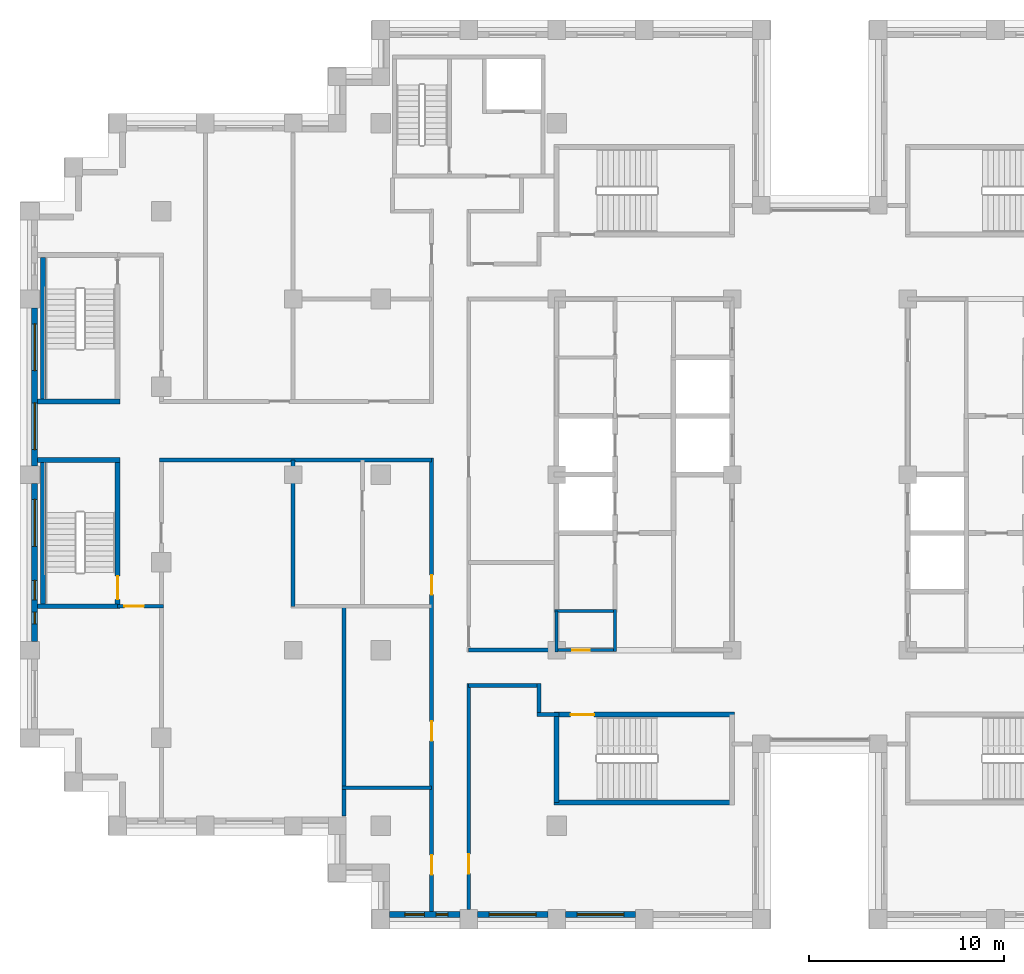
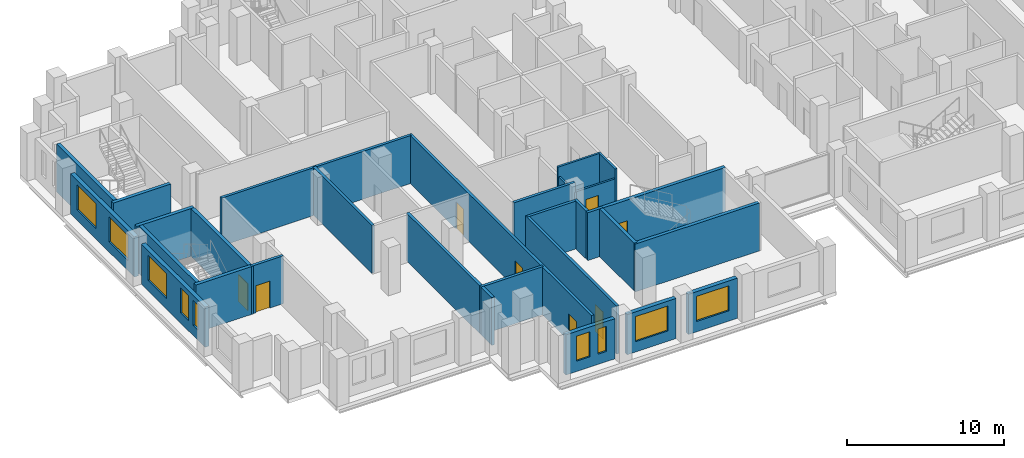
# One storey, part 6 of 15: 29 walls, 9 windows, 8 doors, 17 openings.
"""IFC4 building model written with IfcOpenShell, lengths in metres."""

from ifc_helpers import new_model, si_unit, direction, frame, frame_2d, origin, place, context, subcontext, project, spatial, rectangle, extrude, material, layer, layer_set, type_object, element, fill, save


model = new_model("IFC4")

# Units and contexts
model_context = context("Model", 3, precision=1e-05, world=origin(), true_north=direction((0.0, 1.0)))
body_context = subcontext(model_context, "Body", "Model", "MODEL_VIEW")
ifc_project = project(units=[si_unit("LENGTHUNIT", "METRE"), si_unit("AREAUNIT", "SQUARE_METRE"), si_unit("VOLUMEUNIT", "CUBIC_METRE"), si_unit("PLANEANGLEUNIT", "RADIAN"), si_unit("MASSUNIT", "GRAM", prefix="KILO")], contexts=[model_context])

# Site, building, storey
site_placement = place(None, origin())
site = spatial("IfcSite", under=ifc_project, at=site_placement, CompositionType="ELEMENT")
building_placement = place(site_placement, origin())
building = spatial("IfcBuilding", under=site, at=building_placement, Name="Corbelhall Arena Tower", CompositionType="ELEMENT")
storey_placement = place(building_placement, frame((0.0, 0.0, 188.0)))
storey = spatial("IfcBuildingStorey", under=building, at=storey_placement, Name="L38", CompositionType="ELEMENT", Elevation=188.0)

# Wall, openings, windows
ifc_material_1 = material(Name="Precast concrete C40/50 with granite facing", Category="masonry")
ifc_layer_1 = layer(ifc_material_1, 0.300048828125)
ifc_layer_set_1 = layer_set([ifc_layer_1], Name="EV-IW1 Infill panel 300")
wall_type_1 = type_object("IfcWallType", Name="EV-IW1 Infill panel 300", PredefinedType="SOLIDWALL", material=ifc_layer_set_1)
wall_1_placement = place(storey_placement, frame((-40.25, 8.550048828125, 0.0), z_axis=(0.0, 0.0, 1.0), x_axis=(0.0, -1.0, 0.0)))
wall_1 = element("IfcWall", 1, at=wall_1_placement, inside=storey, type_object=wall_type_1, Name="Infill panel IW1", PredefinedType="SOLIDWALL", context=body_context, shape_type="SweptSolid", body=[
    extrude(rectangle(XDim=8.10009765625, YDim=0.300048828125, at=frame_2d((4.050048828125, 0.0))), origin(), (0.0, 0.0, 1.0), 3.1201171875),
])
opening_1_placement = place(wall_1_placement, frame((0.824951171875, 0.0, 0.800048828125)))
opening_1 = element("IfcOpeningElement", 2, at=opening_1_placement, cuts=wall_1, Name="Opening WN1", PredefinedType="OPENING", context=body_context, shape_type="SweptSolid", body=[
    extrude(rectangle(XDim=2.39990234375, YDim=1.949951171875, at=frame_2d((1.199951171875, 0.97509765625))), frame((0.0, 0.14990234375, 0.0), z_axis=(0.0, -1.0, 0.0), x_axis=(1.0, 0.0, 0.0)), (0.0, 0.0, 1.0), 0.300048828125),
])
opening_2_placement = place(wall_1_placement, frame((4.875, 0.0, 0.800048828125)))
opening_2 = element("IfcOpeningElement", 3, at=opening_2_placement, cuts=wall_1, Name="Opening WN1", PredefinedType="OPENING", context=body_context, shape_type="SweptSolid", body=[
    extrude(rectangle(XDim=2.39990234375, YDim=1.949951171875, at=frame_2d((1.199951171875, 0.97509765625))), frame((0.0, 0.14990234375, 0.0), z_axis=(0.0, -1.0, 0.0), x_axis=(1.0, 0.0, 0.0)), (0.0, 0.0, 1.0), 0.300048828125),
])
ifc_material_2 = material(Name="Aluminium black anodised", Category="aluminium")
window_type_1 = type_object("IfcWindowType", Name="EV-WN1 Office window", PartitioningType="SINGLE_PANEL", PredefinedType="WINDOW", material=ifc_material_2)
window_1_placement = place(opening_1_placement, origin())
window_1 = element("IfcWindow", 4, at=window_1_placement, inside=storey, type_object=window_type_1, Name="Window WN1", OverallHeight=1.949951171875, OverallWidth=2.39990234375, PartitioningType="SINGLE_PANEL", PredefinedType="WINDOW", context=body_context, shape_type="SweptSolid", body=[
    extrude(rectangle(XDim=2.39990234375, YDim=1.949951171875, at=frame_2d((1.199951171875, 0.97509765625))), frame((0.0, 0.030029296875, 0.0), z_axis=(0.0, -1.0, 0.0), x_axis=(1.0, 0.0, 0.0)), (0.0, 0.0, 1.0), 0.06005859375),
])
fill(opening_1, window_1)
window_2_placement = place(opening_2_placement, origin())
window_2 = element("IfcWindow", 5, at=window_2_placement, inside=storey, type_object=window_type_1, Name="Window WN1", OverallHeight=1.949951171875, OverallWidth=2.39990234375, PartitioningType="SINGLE_PANEL", PredefinedType="WINDOW", context=body_context, shape_type="SweptSolid", body=[
    extrude(rectangle(XDim=2.39990234375, YDim=1.949951171875, at=frame_2d((1.199951171875, 0.97509765625))), frame((0.0, 0.030029296875, 0.0), z_axis=(0.0, -1.0, 0.0), x_axis=(1.0, 0.0, 0.0)), (0.0, 0.0, 1.0), 0.06005859375),
])
fill(opening_2, window_2)

wall_2_placement = place(storey_placement, frame((-40.25, -0.449951171875, 0.0), z_axis=(0.0, 0.0, 1.0), x_axis=(0.0, -1.0, 0.0)))
wall_2 = element("IfcWall", 6, at=wall_2_placement, inside=storey, type_object=wall_type_1, Name="Infill panel IW1", PredefinedType="SOLIDWALL", context=body_context, shape_type="SweptSolid", body=[
    extrude(rectangle(XDim=8.10009765625, YDim=0.300048828125, at=frame_2d((4.050048828125, 0.0))), origin(), (0.0, 0.0, 1.0), 3.1201171875),
])
opening_3_placement = place(wall_2_placement, frame((0.824951171875, 0.0, 0.800048828125)))
opening_3 = element("IfcOpeningElement", 7, at=opening_3_placement, cuts=wall_2, Name="Opening WN1", PredefinedType="OPENING", context=body_context, shape_type="SweptSolid", body=[
    extrude(rectangle(XDim=2.39990234375, YDim=1.949951171875, at=frame_2d((1.199951171875, 0.97509765625))), frame((0.0, 0.14990234375, 0.0), z_axis=(0.0, -1.0, 0.0), x_axis=(1.0, 0.0, 0.0)), (0.0, 0.0, 1.0), 0.300048828125),
])
opening_4_placement = place(wall_2_placement, frame((4.97509765625, 0.0, 0.800048828125)))
opening_4 = element("IfcOpeningElement", 8, at=opening_4_placement, cuts=wall_2, Name="Opening WN6", PredefinedType="OPENING", context=body_context, shape_type="SweptSolid", body=[
    extrude(rectangle(XDim=1.0, YDim=1.949951171875, at=frame_2d((0.5, 0.97509765625))), frame((0.0, 0.14990234375, 0.0), z_axis=(0.0, -1.0, 0.0), x_axis=(1.0, 0.0, 0.0)), (0.0, 0.0, 1.0), 0.300048828125),
])
opening_5_placement = place(wall_2_placement, frame((6.60009765625, 0.0, 0.800048828125)))
opening_5 = element("IfcOpeningElement", 9, at=opening_5_placement, cuts=wall_2, Name="Opening WN5", PredefinedType="OPENING", context=body_context, shape_type="SweptSolid", body=[
    extrude(rectangle(XDim=0.60009765625, YDim=1.949951171875, at=frame_2d((0.300048828125, 0.97509765625))), frame((0.0, 0.14990234375, 0.0), z_axis=(0.0, -1.0, 0.0), x_axis=(1.0, 0.0, 0.0)), (0.0, 0.0, 1.0), 0.300048828125),
])
window_3_placement = place(opening_3_placement, origin())
window_3 = element("IfcWindow", 10, at=window_3_placement, inside=storey, type_object=window_type_1, Name="Window WN1", OverallHeight=1.949951171875, OverallWidth=2.39990234375, PartitioningType="SINGLE_PANEL", PredefinedType="WINDOW", context=body_context, shape_type="SweptSolid", body=[
    extrude(rectangle(XDim=2.39990234375, YDim=1.949951171875, at=frame_2d((1.199951171875, 0.97509765625))), frame((0.0, 0.030029296875, 0.0), z_axis=(0.0, -1.0, 0.0), x_axis=(1.0, 0.0, 0.0)), (0.0, 0.0, 1.0), 0.06005859375),
])
fill(opening_3, window_3)
window_type_2 = type_object("IfcWindowType", Name="EV-WN5 Office window 600", PartitioningType="SINGLE_PANEL", PredefinedType="WINDOW", material=ifc_material_2)
window_4_placement = place(opening_5_placement, origin())
window_4 = element("IfcWindow", 11, at=window_4_placement, inside=storey, type_object=window_type_2, Name="Window WN5", OverallHeight=1.949951171875, OverallWidth=0.60009765625, PartitioningType="SINGLE_PANEL", PredefinedType="WINDOW", context=body_context, shape_type="SweptSolid", body=[
    extrude(rectangle(XDim=0.60009765625, YDim=1.949951171875, at=frame_2d((0.300048828125, 0.97509765625))), frame((0.0, 0.030029296875, 0.0), z_axis=(0.0, -1.0, 0.0), x_axis=(1.0, 0.0, 0.0)), (0.0, 0.0, 1.0), 0.06005859375),
])
fill(opening_5, window_4)
window_type_3 = type_object("IfcWindowType", Name="EV-WN6 Office window 1000", PartitioningType="SINGLE_PANEL", PredefinedType="WINDOW", material=ifc_material_2)
window_5_placement = place(opening_4_placement, origin())
window_5 = element("IfcWindow", 12, at=window_5_placement, inside=storey, type_object=window_type_3, Name="Window WN6", OverallHeight=1.949951171875, OverallWidth=1.0, PartitioningType="SINGLE_PANEL", PredefinedType="WINDOW", context=body_context, shape_type="SweptSolid", body=[
    extrude(rectangle(XDim=1.0, YDim=1.949951171875, at=frame_2d((0.5, 0.97509765625))), frame((0.0, 0.030029296875, 0.0), z_axis=(0.0, -1.0, 0.0), x_axis=(1.0, 0.0, 0.0)), (0.0, 0.0, 1.0), 0.06005859375),
])
fill(opening_4, window_5)

wall_3_placement = place(storey_placement, frame((-22.050048828125, -22.550048828125, 0.0), z_axis=(0.0, 0.0, 1.0), x_axis=(1.0, 0.0, 0.0)))
wall_3 = element("IfcWall", 13, at=wall_3_placement, inside=storey, type_object=wall_type_1, Name="Infill panel IW1", PredefinedType="SOLIDWALL", context=body_context, shape_type="SweptSolid", body=[
    extrude(rectangle(XDim=3.60009765625, YDim=0.300048828125, at=frame_2d((1.800048828125, 0.0))), origin(), (0.0, 0.0, 1.0), 3.1201171875),
])
opening_6_placement = place(wall_3_placement, frame((0.77490234375, 0.0, 0.800048828125)))
opening_6 = element("IfcOpeningElement", 14, at=opening_6_placement, cuts=wall_3, Name="Opening WN6", PredefinedType="OPENING", context=body_context, shape_type="SweptSolid", body=[
    extrude(rectangle(XDim=1.0, YDim=1.949951171875, at=frame_2d((0.5, 0.97509765625))), frame((0.0, 0.14990234375, 0.0), z_axis=(0.0, -1.0, 0.0), x_axis=(1.0, 0.0, 0.0)), (0.0, 0.0, 1.0), 0.300048828125),
])
opening_7_placement = place(wall_3_placement, frame((2.375, 0.0, 0.800048828125)))
opening_7 = element("IfcOpeningElement", 15, at=opening_7_placement, cuts=wall_3, Name="Opening WN5", PredefinedType="OPENING", context=body_context, shape_type="SweptSolid", body=[
    extrude(rectangle(XDim=0.60009765625, YDim=1.949951171875, at=frame_2d((0.300048828125, 0.97509765625))), frame((0.0, 0.14990234375, 0.0), z_axis=(0.0, -1.0, 0.0), x_axis=(1.0, 0.0, 0.0)), (0.0, 0.0, 1.0), 0.300048828125),
])
window_6_placement = place(opening_7_placement, origin())
window_6 = element("IfcWindow", 16, at=window_6_placement, inside=storey, type_object=window_type_2, Name="Window WN5", OverallHeight=1.949951171875, OverallWidth=0.60009765625, PartitioningType="SINGLE_PANEL", PredefinedType="WINDOW", context=body_context, shape_type="SweptSolid", body=[
    extrude(rectangle(XDim=0.60009765625, YDim=1.949951171875, at=frame_2d((0.300048828125, 0.97509765625))), frame((0.0, 0.030029296875, 0.0), z_axis=(0.0, -1.0, 0.0), x_axis=(1.0, 0.0, 0.0)), (0.0, 0.0, 1.0), 0.06005859375),
])
fill(opening_7, window_6)
window_7_placement = place(opening_6_placement, origin())
window_7 = element("IfcWindow", 17, at=window_7_placement, inside=storey, type_object=window_type_3, Name="Window WN6", OverallHeight=1.949951171875, OverallWidth=1.0, PartitioningType="SINGLE_PANEL", PredefinedType="WINDOW", context=body_context, shape_type="SweptSolid", body=[
    extrude(rectangle(XDim=1.0, YDim=1.949951171875, at=frame_2d((0.5, 0.97509765625))), frame((0.0, 0.030029296875, 0.0), z_axis=(0.0, -1.0, 0.0), x_axis=(1.0, 0.0, 0.0)), (0.0, 0.0, 1.0), 0.06005859375),
])
fill(opening_6, window_7)

# Wall, opening, window
wall_4_placement = place(storey_placement, frame((-17.550048828125, -22.550048828125, 0.0), z_axis=(0.0, 0.0, 1.0), x_axis=(1.0, 0.0, 0.0)))
wall_4 = element("IfcWall", 18, at=wall_4_placement, inside=storey, type_object=wall_type_1, Name="Infill panel IW1", PredefinedType="SOLIDWALL", context=body_context, shape_type="SweptSolid", body=[
    extrude(rectangle(XDim=3.60009765625, YDim=0.300048828125, at=frame_2d((1.800048828125, 0.0))), origin(), (0.0, 0.0, 1.0), 3.1201171875),
])
opening_8_placement = place(wall_4_placement, frame((0.60009765625, 0.0, 0.800048828125)))
opening_8 = element("IfcOpeningElement", 19, at=opening_8_placement, cuts=wall_4, Name="Opening WN1", PredefinedType="OPENING", context=body_context, shape_type="SweptSolid", body=[
    extrude(rectangle(XDim=2.39990234375, YDim=1.949951171875, at=frame_2d((1.199951171875, 0.97509765625))), frame((0.0, 0.14990234375, 0.0), z_axis=(0.0, -1.0, 0.0), x_axis=(1.0, 0.0, 0.0)), (0.0, 0.0, 1.0), 0.300048828125),
])
window_8_placement = place(opening_8_placement, origin())
window_8 = element("IfcWindow", 20, at=window_8_placement, inside=storey, type_object=window_type_1, Name="Window WN1", OverallHeight=1.949951171875, OverallWidth=2.39990234375, PartitioningType="SINGLE_PANEL", PredefinedType="WINDOW", context=body_context, shape_type="SweptSolid", body=[
    extrude(rectangle(XDim=2.39990234375, YDim=1.949951171875, at=frame_2d((1.199951171875, 0.97509765625))), frame((0.0, 0.030029296875, 0.0), z_axis=(0.0, -1.0, 0.0), x_axis=(1.0, 0.0, 0.0)), (0.0, 0.0, 1.0), 0.06005859375),
])
fill(opening_8, window_8)

wall_5_placement = place(storey_placement, frame((-13.050048828125, -22.550048828125, 0.0), z_axis=(0.0, 0.0, 1.0), x_axis=(1.0, 0.0, 0.0)))
wall_5 = element("IfcWall", 21, at=wall_5_placement, inside=storey, type_object=wall_type_1, Name="Infill panel IW1", PredefinedType="SOLIDWALL", context=body_context, shape_type="SweptSolid", body=[
    extrude(rectangle(XDim=3.60009765625, YDim=0.300048828125, at=frame_2d((1.800048828125, 0.0))), origin(), (0.0, 0.0, 1.0), 3.1201171875),
])
opening_9_placement = place(wall_5_placement, frame((0.60009765625, 0.0, 0.800048828125)))
opening_9 = element("IfcOpeningElement", 22, at=opening_9_placement, cuts=wall_5, Name="Opening WN1", PredefinedType="OPENING", context=body_context, shape_type="SweptSolid", body=[
    extrude(rectangle(XDim=2.39990234375, YDim=1.949951171875, at=frame_2d((1.199951171875, 0.97509765625))), frame((0.0, 0.14990234375, 0.0), z_axis=(0.0, -1.0, 0.0), x_axis=(1.0, 0.0, 0.0)), (0.0, 0.0, 1.0), 0.300048828125),
])
window_9_placement = place(opening_9_placement, origin())
window_9 = element("IfcWindow", 23, at=window_9_placement, inside=storey, type_object=window_type_1, Name="Window WN1", OverallHeight=1.949951171875, OverallWidth=2.39990234375, PartitioningType="SINGLE_PANEL", PredefinedType="WINDOW", context=body_context, shape_type="SweptSolid", body=[
    extrude(rectangle(XDim=2.39990234375, YDim=1.949951171875, at=frame_2d((1.199951171875, 0.97509765625))), frame((0.0, 0.030029296875, 0.0), z_axis=(0.0, -1.0, 0.0), x_axis=(1.0, 0.0, 0.0)), (0.0, 0.0, 1.0), 0.06005859375),
])
fill(opening_9, window_9)

# Wall, opening, door
ifc_material_3 = material(Name="Gypsum board on steel stud, acoustic", Category="steel")
ifc_layer_2 = layer(ifc_material_3, 0.199951171875)
ifc_layer_set_2 = layer_set([ifc_layer_2], Name="IN-W-DM200")
wall_type_2 = type_object("IfcWallType", Name="IN-W-DM200", PredefinedType="PARTITIONING", material=ifc_layer_set_2)
wall_6_placement = place(storey_placement, frame((-33.64990234375, -6.75, 0.0), z_axis=(0.0, 0.0, 1.0), x_axis=(-1.0, 0.0, 0.0)))
wall_6 = element("IfcWall", 24, at=wall_6_placement, inside=storey, type_object=wall_type_2, Name="Partition 005", PredefinedType="PARTITIONING", context=body_context, shape_type="SweptSolid", body=[
    extrude(rectangle(XDim=2.35009765625, YDim=0.199951171875, at=frame_2d((1.175048828125, 0.0))), origin(), (0.0, 0.0, 1.0), 3.719970703125),
])
opening_10_placement = place(wall_6_placement, frame((1.0, 0.0, 0.0)))
opening_10 = element("IfcOpeningElement", 25, at=opening_10_placement, cuts=wall_6, Name="Opening 11045", PredefinedType="OPENING", context=body_context, shape_type="SweptSolid", body=[
    extrude(rectangle(XDim=1.0, YDim=2.10009765625, at=frame_2d((0.5, 1.050048828125))), frame((0.0, 0.10009765625, 0.0), z_axis=(0.0, -1.0, 0.0), x_axis=(1.0, 0.0, 0.0)), (0.0, 0.0, 1.0), 0.199951171875),
])
ifc_material_4 = material(Name="Steel door set", Category="steel")
door_type_1 = type_object("IfcDoorType", Name="IN-D-SW100", OperationType="NOTDEFINED", PredefinedType="DOOR", material=ifc_material_4)
door_1_placement = place(opening_10_placement, origin())
door_1 = element("IfcDoor", 26, at=door_1_placement, inside=storey, type_object=door_type_1, Name="Door 045", OperationType="SINGLE_SWING_RIGHT", OverallHeight=2.10009765625, OverallWidth=1.0, PredefinedType="DOOR", context=body_context, shape_type="SweptSolid", body=[
    extrude(rectangle(XDim=1.0, YDim=2.10009765625, at=frame_2d((0.5, 1.050048828125))), frame((0.0, 0.02490234375, 0.0), z_axis=(0.0, -1.0, 0.0), x_axis=(1.0, 0.0, 0.0)), (0.0, 0.0, 1.0), 0.050048828125),
])
fill(opening_10, door_1)

# Walls
wall_7_placement = place(storey_placement, frame((-27.0, -6.75, 0.0), z_axis=(0.0, 0.0, 1.0), x_axis=(0.0, 1.0, 0.0)))
element("IfcWall", 27, at=wall_7_placement, inside=storey, type_object=wall_type_2, Name="Partition 008", PredefinedType="PARTITIONING", context=body_context, shape_type="SweptSolid", body=[
    extrude(rectangle(XDim=7.5, YDim=0.199951171875, at=frame_2d((3.75, 0.0))), origin(), (0.0, 0.0, 1.0), 3.719970703125),
])
wall_8_placement = place(storey_placement, frame((-19.89990234375, 0.75, 0.0), z_axis=(0.0, 0.0, 1.0), x_axis=(-1.0, 0.0, 0.0)))
element("IfcWall", 28, at=wall_8_placement, inside=storey, type_object=wall_type_2, Name="Partition 010", PredefinedType="PARTITIONING", context=body_context, shape_type="SweptSolid", body=[
    extrude(rectangle(XDim=13.9501953125, YDim=0.199951171875, at=frame_2d((6.97509765625, 0.0))), origin(), (0.0, 0.0, 1.0), 3.719970703125),
])
wall_9_placement = place(storey_placement, frame((-24.5, -16.050048828125, 0.0), z_axis=(0.0, 0.0, 1.0), x_axis=(1.0, 0.0, 0.0)))
element("IfcWall", 29, at=wall_9_placement, inside=storey, type_object=wall_type_2, Name="Partition 011", PredefinedType="PARTITIONING", context=body_context, shape_type="SweptSolid", body=[
    extrude(rectangle(XDim=4.60009765625, YDim=0.199951171875, at=frame_2d((2.300048828125, 0.0))), origin(), (0.0, 0.0, 1.0), 3.719970703125),
])
wall_10_placement = place(storey_placement, frame((-24.39990234375, -17.5, 0.0), z_axis=(0.0, 0.0, 1.0), x_axis=(0.0, 1.0, 0.0)))
element("IfcWall", 30, at=wall_10_placement, inside=storey, type_object=wall_type_2, Name="Partition 013", PredefinedType="PARTITIONING", context=body_context, shape_type="SweptSolid", body=[
    extrude(rectangle(XDim=10.85009765625, YDim=0.199951171875, at=frame_2d((5.425048828125, 0.0))), origin(), (0.0, 0.0, 1.0), 3.719970703125),
])

# Wall, openings, doors
wall_11_placement = place(storey_placement, frame((-19.89990234375, -22.39990234375, 0.0), z_axis=(0.0, 0.0, 1.0), x_axis=(0.0, 1.0, 0.0)))
wall_11 = element("IfcWall", 31, at=wall_11_placement, inside=storey, type_object=wall_type_2, Name="Partition 016", PredefinedType="PARTITIONING", context=body_context, shape_type="SweptSolid", body=[
    extrude(rectangle(XDim=23.25, YDim=0.199951171875, at=frame_2d((11.625, 0.0))), origin(), (0.0, 0.0, 1.0), 3.719970703125),
])
opening_11_placement = place(wall_11_placement, frame((1.89990234375, 0.0, 0.0)))
opening_11 = element("IfcOpeningElement", 32, at=opening_11_placement, cuts=wall_11, Name="Opening 11033", PredefinedType="OPENING", context=body_context, shape_type="SweptSolid", body=[
    extrude(rectangle(XDim=1.0, YDim=2.10009765625, at=frame_2d((0.5, 1.050048828125))), frame((0.0, 0.10009765625, 0.0), z_axis=(0.0, -1.0, 0.0), x_axis=(1.0, 0.0, 0.0)), (0.0, 0.0, 1.0), 0.199951171875),
])
opening_12_placement = place(wall_11_placement, frame((8.75, 0.0, 0.0)))
opening_12 = element("IfcOpeningElement", 33, at=opening_12_placement, cuts=wall_11, Name="Opening 11034", PredefinedType="OPENING", context=body_context, shape_type="SweptSolid", body=[
    extrude(rectangle(XDim=1.0, YDim=2.10009765625, at=frame_2d((0.5, 1.050048828125))), frame((0.0, 0.10009765625, 0.0), z_axis=(0.0, -1.0, 0.0), x_axis=(1.0, 0.0, 0.0)), (0.0, 0.0, 1.0), 0.199951171875),
])
opening_13_placement = place(wall_11_placement, frame((16.25, 0.0, 0.0)))
opening_13 = element("IfcOpeningElement", 34, at=opening_13_placement, cuts=wall_11, Name="Opening 11035", PredefinedType="OPENING", context=body_context, shape_type="SweptSolid", body=[
    extrude(rectangle(XDim=1.0, YDim=2.10009765625, at=frame_2d((0.5, 1.050048828125))), frame((0.0, 0.10009765625, 0.0), z_axis=(0.0, -1.0, 0.0), x_axis=(1.0, 0.0, 0.0)), (0.0, 0.0, 1.0), 0.199951171875),
])
door_2_placement = place(opening_11_placement, origin())
door_2 = element("IfcDoor", 35, at=door_2_placement, inside=storey, type_object=door_type_1, Name="Door 033", OperationType="SINGLE_SWING_RIGHT", OverallHeight=2.10009765625, OverallWidth=1.0, PredefinedType="DOOR", context=body_context, shape_type="SweptSolid", body=[
    extrude(rectangle(XDim=1.0, YDim=2.10009765625, at=frame_2d((0.5, 1.050048828125))), frame((0.0, 0.02490234375, 0.0), z_axis=(0.0, -1.0, 0.0), x_axis=(1.0, 0.0, 0.0)), (0.0, 0.0, 1.0), 0.050048828125),
])
fill(opening_11, door_2)
door_3_placement = place(opening_12_placement, origin())
door_3 = element("IfcDoor", 36, at=door_3_placement, inside=storey, type_object=door_type_1, Name="Door 034", OperationType="SINGLE_SWING_LEFT", OverallHeight=2.10009765625, OverallWidth=1.0, PredefinedType="DOOR", context=body_context, shape_type="SweptSolid", body=[
    extrude(rectangle(XDim=1.0, YDim=2.10009765625, at=frame_2d((0.5, 1.050048828125))), frame((0.0, 0.02490234375, 0.0), z_axis=(0.0, -1.0, 0.0), x_axis=(1.0, 0.0, 0.0)), (0.0, 0.0, 1.0), 0.050048828125),
])
fill(opening_12, door_3)
door_4_placement = place(opening_13_placement, origin())
door_4 = element("IfcDoor", 37, at=door_4_placement, inside=storey, type_object=door_type_1, Name="Door 035", OperationType="SINGLE_SWING_RIGHT", OverallHeight=2.10009765625, OverallWidth=1.0, PredefinedType="DOOR", context=body_context, shape_type="SweptSolid", body=[
    extrude(rectangle(XDim=1.0, YDim=2.10009765625, at=frame_2d((0.5, 1.050048828125))), frame((0.0, 0.02490234375, 0.0), z_axis=(0.0, -1.0, 0.0), x_axis=(1.0, 0.0, 0.0)), (0.0, 0.0, 1.0), 0.050048828125),
])
fill(opening_13, door_4)

# Wall, opening, door
wall_12_placement = place(storey_placement, frame((-18.0, -10.699951171875, 0.0), z_axis=(0.0, 0.0, 1.0), x_axis=(0.0, -1.0, 0.0)))
wall_12 = element("IfcWall", 38, at=wall_12_placement, inside=storey, type_object=wall_type_2, Name="Partition 019", PredefinedType="PARTITIONING", context=body_context, shape_type="SweptSolid", body=[
    extrude(rectangle(XDim=11.60009765625, YDim=0.199951171875, at=frame_2d((5.800048828125, 0.0))), origin(), (0.0, 0.0, 1.0), 3.719970703125),
])
opening_14_placement = place(wall_12_placement, frame((8.75, 0.0, 0.0)))
opening_14 = element("IfcOpeningElement", 39, at=opening_14_placement, cuts=wall_12, Name="Opening 11029", PredefinedType="OPENING", context=body_context, shape_type="SweptSolid", body=[
    extrude(rectangle(XDim=1.0, YDim=2.10009765625, at=frame_2d((0.5, 1.050048828125))), frame((0.0, 0.10009765625, 0.0), z_axis=(0.0, -1.0, 0.0), x_axis=(1.0, 0.0, 0.0)), (0.0, 0.0, 1.0), 0.199951171875),
])
door_5_placement = place(opening_14_placement, origin())
door_5 = element("IfcDoor", 40, at=door_5_placement, inside=storey, type_object=door_type_1, Name="Door 029", OperationType="SINGLE_SWING_RIGHT", OverallHeight=2.10009765625, OverallWidth=1.0, PredefinedType="DOOR", context=body_context, shape_type="SweptSolid", body=[
    extrude(rectangle(XDim=1.0, YDim=2.10009765625, at=frame_2d((0.5, 1.050048828125))), frame((0.0, 0.02490234375, 0.0), z_axis=(0.0, -1.0, 0.0), x_axis=(1.0, 0.0, 0.0)), (0.0, 0.0, 1.0), 0.050048828125),
])
fill(opening_14, door_5)

# Walls
wall_13_placement = place(storey_placement, frame((-18.0, -9.0, 0.0), z_axis=(0.0, 0.0, 1.0), x_axis=(1.0, 0.0, 0.0)))
element("IfcWall", 41, at=wall_13_placement, inside=storey, type_object=wall_type_2, Name="Partition 020", PredefinedType="PARTITIONING", context=body_context, shape_type="SweptSolid", body=[
    extrude(rectangle(XDim=4.5, YDim=0.199951171875, at=frame_2d((2.25, 0.0))), origin(), (0.0, 0.0, 1.0), 3.719970703125),
])
wall_14_placement = place(storey_placement, frame((-14.39990234375, -12.300048828125, 0.0), z_axis=(0.0, 0.0, 1.0), x_axis=(0.0, 1.0, 0.0)))
element("IfcWall", 42, at=wall_14_placement, inside=storey, type_object=wall_type_2, Name="Partition 028", PredefinedType="PARTITIONING", context=body_context, shape_type="SweptSolid", body=[
    extrude(rectangle(XDim=1.60009765625, YDim=0.199951171875, at=frame_2d((0.800048828125, 0.0))), origin(), (0.0, 0.0, 1.0), 3.719970703125),
])
wall_15_placement = place(storey_placement, frame((-14.39990234375, -10.800048828125, 0.0), z_axis=(0.0, 0.0, 1.0), x_axis=(-1.0, 0.0, 0.0)))
element("IfcWall", 43, at=wall_15_placement, inside=storey, type_object=wall_type_2, Name="Partition 029", PredefinedType="PARTITIONING", context=body_context, shape_type="SweptSolid", body=[
    extrude(rectangle(XDim=3.60009765625, YDim=0.199951171875, at=frame_2d((1.800048828125, 0.0))), origin(), (0.0, 0.0, 1.0), 3.719970703125),
])
wall_16_placement = place(storey_placement, frame((-13.375, -12.300048828125, 0.0), z_axis=(0.0, 0.0, 1.0), x_axis=(-1.0, 0.0, 0.0)))
element("IfcWall", 44, at=wall_16_placement, inside=storey, type_object=wall_type_2, Name="Partition 032", PredefinedType="PARTITIONING", context=body_context, shape_type="SweptSolid", body=[
    extrude(rectangle(XDim=1.125, YDim=0.199951171875, at=frame_2d((0.5625, 0.0))), origin(), (0.0, 0.0, 1.0), 3.719970703125),
])
ifc_material_5 = material(Name="Concrete C40/50", Category="concrete")
ifc_layer_3 = layer(ifc_material_5, 0.25)
ifc_layer_set_3 = layer_set([ifc_layer_3], Name="IN-W-ST250")
wall_type_3 = type_object("IfcWallType", Name="IN-W-ST250", PredefinedType="SOLIDWALL", material=ifc_layer_set_3)
wall_17_placement = place(storey_placement, frame((-40.10009765625, 3.75, 0.0), z_axis=(0.0, 0.0, 1.0), x_axis=(1.0, 0.0, 0.0)))
element("IfcWall", 45, at=wall_17_placement, inside=storey, type_object=wall_type_3, Name="Shaft wall 097", PredefinedType="SOLIDWALL", context=body_context, shape_type="SweptSolid", body=[
    extrude(rectangle(XDim=4.22509765625, YDim=0.25, at=frame_2d((2.112548828125, 0.0))), origin(), (0.0, 0.0, 1.0), 3.719970703125),
])
wall_18_placement = place(storey_placement, frame((-36.0, -6.75, 0.0), z_axis=(0.0, 0.0, 1.0), x_axis=(-1.0, 0.0, 0.0)))
element("IfcWall", 46, at=wall_18_placement, inside=storey, type_object=wall_type_3, Name="Shaft wall 099", PredefinedType="SOLIDWALL", context=body_context, shape_type="SweptSolid", body=[
    extrude(rectangle(XDim=4.10009765625, YDim=0.25, at=frame_2d((2.050048828125, 0.0))), origin(), (0.0, 0.0, 1.0), 3.719970703125),
])

# Wall, opening, door
wall_19_placement = place(storey_placement, frame((-36.0, 0.75, 0.0), z_axis=(0.0, 0.0, 1.0), x_axis=(0.0, -1.0, 0.0)))
wall_19 = element("IfcWall", 47, at=wall_19_placement, inside=storey, type_object=wall_type_3, Name="Shaft wall 100", PredefinedType="SOLIDWALL", context=body_context, shape_type="SweptSolid", body=[
    extrude(rectangle(XDim=7.625, YDim=0.25, at=frame_2d((3.8125, 0.0))), origin(), (0.0, 0.0, 1.0), 3.719970703125),
])
opening_15_placement = place(wall_19_placement, frame((5.949951171875, 0.0, 0.0)))
opening_15 = element("IfcOpeningElement", 48, at=opening_15_placement, cuts=wall_19, Name="Opening 11021", PredefinedType="OPENING", context=body_context, shape_type="SweptSolid", body=[
    extrude(rectangle(XDim=1.199951171875, YDim=2.10009765625, at=frame_2d((0.60009765625, 1.050048828125))), frame((0.0, 0.125, 0.0), z_axis=(0.0, -1.0, 0.0), x_axis=(1.0, 0.0, 0.0)), (0.0, 0.0, 1.0), 0.25),
])
door_type_2 = type_object("IfcDoorType", Name="IN-D-ST120", OperationType="NOTDEFINED", PredefinedType="DOOR", material=ifc_material_4)
door_6_placement = place(opening_15_placement, origin())
door_6 = element("IfcDoor", 49, at=door_6_placement, inside=storey, type_object=door_type_2, Name="Door 021", OperationType="SINGLE_SWING_RIGHT", OverallHeight=2.10009765625, OverallWidth=1.199951171875, PredefinedType="DOOR", context=body_context, shape_type="SweptSolid", body=[
    extrude(rectangle(XDim=1.199951171875, YDim=2.10009765625, at=frame_2d((0.60009765625, 1.050048828125))), frame((0.0, 0.02490234375, 0.0), z_axis=(0.0, -1.0, 0.0), x_axis=(1.0, 0.0, 0.0)), (0.0, 0.0, 1.0), 0.050048828125),
])
fill(opening_15, door_6)

# Walls
wall_20_placement = place(storey_placement, frame((-35.875, 0.75, 0.0), z_axis=(0.0, 0.0, 1.0), x_axis=(-1.0, 0.0, 0.0)))
element("IfcWall", 50, at=wall_20_placement, inside=storey, type_object=wall_type_3, Name="Shaft wall 102", PredefinedType="SOLIDWALL", context=body_context, shape_type="SweptSolid", body=[
    extrude(rectangle(XDim=4.22509765625, YDim=0.25, at=frame_2d((2.112548828125, 0.0))), origin(), (0.0, 0.0, 1.0), 3.719970703125),
])
wall_21_placement = place(storey_placement, frame((-13.5, -16.800048828125, 0.0), z_axis=(0.0, 0.0, 1.0), x_axis=(0.0, 1.0, 0.0)))
element("IfcWall", 51, at=wall_21_placement, inside=storey, type_object=wall_type_3, Name="Shaft wall 105", PredefinedType="SOLIDWALL", context=body_context, shape_type="SweptSolid", body=[
    extrude(rectangle(XDim=4.5, YDim=0.25, at=frame_2d((2.25, 0.0))), origin(), (0.0, 0.0, 1.0), 3.719970703125),
])
wall_22_placement = place(storey_placement, frame((-4.5, -16.800048828125, 0.0), z_axis=(0.0, 0.0, 1.0), x_axis=(-1.0, 0.0, 0.0)))
element("IfcWall", 52, at=wall_22_placement, inside=storey, type_object=wall_type_3, Name="Shaft wall 107", PredefinedType="SOLIDWALL", context=body_context, shape_type="SweptSolid", body=[
    extrude(rectangle(XDim=9.125, YDim=0.25, at=frame_2d((4.5625, 0.0))), origin(), (0.0, 0.0, 1.0), 3.719970703125),
])

# Wall, opening, door
wall_23_placement = place(storey_placement, frame((-4.375, -12.300048828125, 0.0), z_axis=(0.0, 0.0, 1.0), x_axis=(-1.0, 0.0, 0.0)))
wall_23 = element("IfcWall", 53, at=wall_23_placement, inside=storey, type_object=wall_type_3, Name="Shaft wall 110", PredefinedType="SOLIDWALL", context=body_context, shape_type="SweptSolid", body=[
    extrude(rectangle(XDim=9.25, YDim=0.25, at=frame_2d((4.625, 0.0))), origin(), (0.0, 0.0, 1.0), 3.719970703125),
])
opening_16_placement = place(wall_23_placement, frame((7.199951171875, 0.0, 0.0)))
opening_16 = element("IfcOpeningElement", 54, at=opening_16_placement, cuts=wall_23, Name="Opening 11017", PredefinedType="OPENING", context=body_context, shape_type="SweptSolid", body=[
    extrude(rectangle(XDim=1.199951171875, YDim=2.10009765625, at=frame_2d((0.60009765625, 1.050048828125))), frame((0.0, 0.125, 0.0), z_axis=(0.0, -1.0, 0.0), x_axis=(1.0, 0.0, 0.0)), (0.0, 0.0, 1.0), 0.25),
])
door_7_placement = place(opening_16_placement, origin())
door_7 = element("IfcDoor", 55, at=door_7_placement, inside=storey, type_object=door_type_2, Name="Door 017", OperationType="SINGLE_SWING_RIGHT", OverallHeight=2.10009765625, OverallWidth=1.199951171875, PredefinedType="DOOR", context=body_context, shape_type="SweptSolid", body=[
    extrude(rectangle(XDim=1.199951171875, YDim=2.10009765625, at=frame_2d((0.60009765625, 1.050048828125))), frame((0.0, 0.02490234375, 0.0), z_axis=(0.0, -1.0, 0.0), x_axis=(1.0, 0.0, 0.0)), (0.0, 0.0, 1.0), 0.050048828125),
])
fill(opening_16, door_7)

# Walls
for number, where, z_axis, x_axis, name in (
    (56, (-39.824951171875, 3.875, 0.0), (0.0, 0.0, 1.0), (0.0, 1.0, 0.0), "Shaft wall SC1 facade side"),
    (57, (-39.824951171875, -6.625, 0.0), (0.0, 0.0, 1.0), (0.0, 1.0, 0.0), "Shaft wall SC2 facade side"),
):
    element("IfcWall", number, at=place(storey_placement, frame(where, z_axis=z_axis, x_axis=x_axis)), inside=storey, type_object=wall_type_3, Name=name, PredefinedType="SOLIDWALL", context=body_context, shape_type="SweptSolid", body=[
        extrude(rectangle(XDim=7.25, YDim=0.25, at=frame_2d((3.625, 0.0))), origin(), (0.0, 0.0, 1.0), 3.719970703125),
    ])
ifc_material_6 = material(Name="Gypsum board on steel stud, moisture resistant", Category="steel")
ifc_layer_4 = layer(ifc_material_6, 0.14990234375)
ifc_layer_set_4 = layer_set([ifc_layer_4], Name="IN-W-WC150")
wall_type_4 = type_object("IfcWallType", Name="IN-W-WC150", PredefinedType="PARTITIONING", material=ifc_layer_set_4)
wall_24_placement = place(storey_placement, frame((-13.60009765625, -7.0, 0.0), z_axis=(0.0, 0.0, 1.0), x_axis=(1.0, 0.0, 0.0)))
element("IfcWall", 58, at=wall_24_placement, inside=storey, type_object=wall_type_4, Name="Partition 119", PredefinedType="PARTITIONING", context=body_context, shape_type="SweptSolid", body=[
    extrude(rectangle(XDim=3.10009765625, YDim=0.14990234375, at=frame_2d((1.550048828125, 0.0))), origin(), (0.0, 0.0, 1.0), 3.719970703125),
])
wall_25_placement = place(storey_placement, frame((-10.5, -9.074951171875, 0.0), z_axis=(0.0, 0.0, 1.0), x_axis=(0.0, 1.0, 0.0)))
element("IfcWall", 59, at=wall_25_placement, inside=storey, type_object=wall_type_4, Name="Partition 123", PredefinedType="PARTITIONING", context=body_context, shape_type="SweptSolid", body=[
    extrude(rectangle(XDim=2.14990234375, YDim=0.14990234375, at=frame_2d((1.074951171875, 0.0))), origin(), (0.0, 0.0, 1.0), 3.719970703125),
])
ifc_layer_5 = layer(ifc_material_6, 0.14990234375)
ifc_layer_set_5 = layer_set([ifc_layer_5], Name="IN-W-WC150 under beam 762 mm")
wall_type_5 = type_object("IfcWallType", Name="IN-W-WC150 under beam 762 mm", PredefinedType="PARTITIONING", material=ifc_layer_set_5)
wall_26_placement = place(storey_placement, frame((-13.5, -9.10009765625, 0.0), z_axis=(0.0, 0.0, 1.0), x_axis=(0.0, 1.0, 0.0)))
element("IfcWall", 60, at=wall_26_placement, inside=storey, type_object=wall_type_5, Name="Partition 121", PredefinedType="PARTITIONING", context=body_context, shape_type="SweptSolid", body=[
    extrude(rectangle(XDim=2.10009765625, YDim=0.14990234375, at=frame_2d((1.050048828125, 0.0))), origin(), (0.0, 0.0, 1.0), 2.9580078125),
])

# Wall, opening, door
wall_27_placement = place(storey_placement, frame((-10.5, -9.0, 0.0), z_axis=(0.0, 0.0, 1.0), x_axis=(-1.0, 0.0, 0.0)))
wall_27 = element("IfcWall", 61, at=wall_27_placement, inside=storey, type_object=wall_type_5, Name="Partition 124", PredefinedType="PARTITIONING", context=body_context, shape_type="SweptSolid", body=[
    extrude(rectangle(XDim=3.074951171875, YDim=0.14990234375, at=frame_2d((1.53759765625, 0.0))), origin(), (0.0, 0.0, 1.0), 2.9580078125),
])
opening_17_placement = place(wall_27_placement, frame((1.300048828125, 0.0, 0.0)))
opening_17 = element("IfcOpeningElement", 62, at=opening_17_placement, cuts=wall_27, Name="Opening 11005", PredefinedType="OPENING", context=body_context, shape_type="SweptSolid", body=[
    extrude(rectangle(XDim=0.89990234375, YDim=2.10009765625, at=frame_2d((0.449951171875, 1.050048828125))), frame((0.0, 0.074951171875, 0.0), z_axis=(0.0, -1.0, 0.0), x_axis=(1.0, 0.0, 0.0)), (0.0, 0.0, 1.0), 0.14990234375),
])
ifc_material_7 = material(Name="Timber door set", Category="wood")
door_type_3 = type_object("IfcDoorType", Name="IN-D-SW90", OperationType="NOTDEFINED", PredefinedType="DOOR", material=ifc_material_7)
door_8_placement = place(opening_17_placement, origin())
door_8 = element("IfcDoor", 63, at=door_8_placement, inside=storey, type_object=door_type_3, Name="Door 005", OperationType="SINGLE_SWING_RIGHT", OverallHeight=2.10009765625, OverallWidth=0.89990234375, PredefinedType="DOOR", context=body_context, shape_type="SweptSolid", body=[
    extrude(rectangle(XDim=0.89990234375, YDim=2.10009765625, at=frame_2d((0.449951171875, 1.050048828125))), frame((0.0, 0.02490234375, 0.0), z_axis=(0.0, -1.0, 0.0), x_axis=(1.0, 0.0, 0.0)), (0.0, 0.0, 1.0), 0.050048828125),
])
fill(opening_17, door_8)

save(model, "model.ifc")
